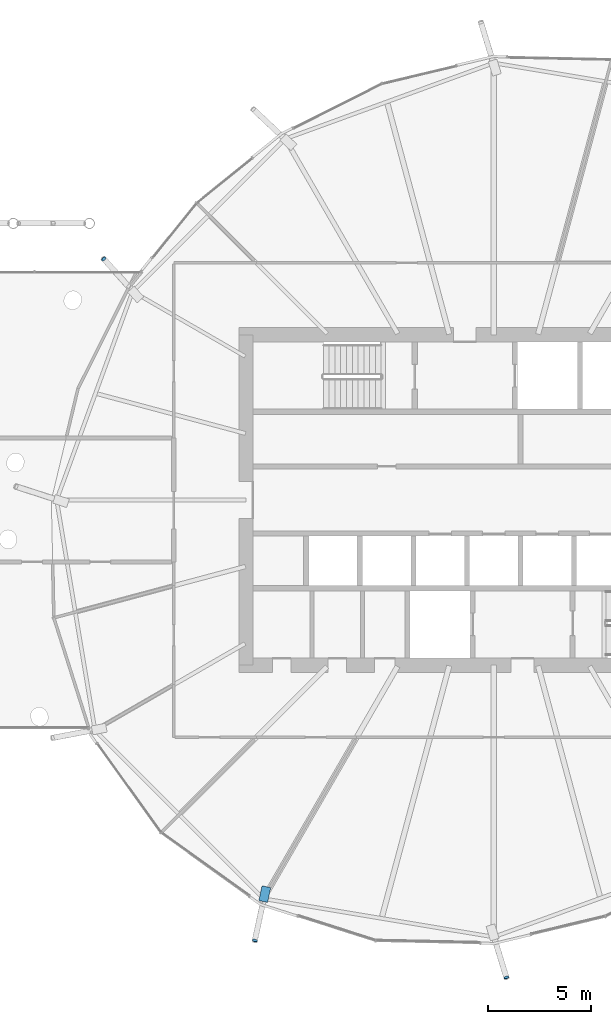
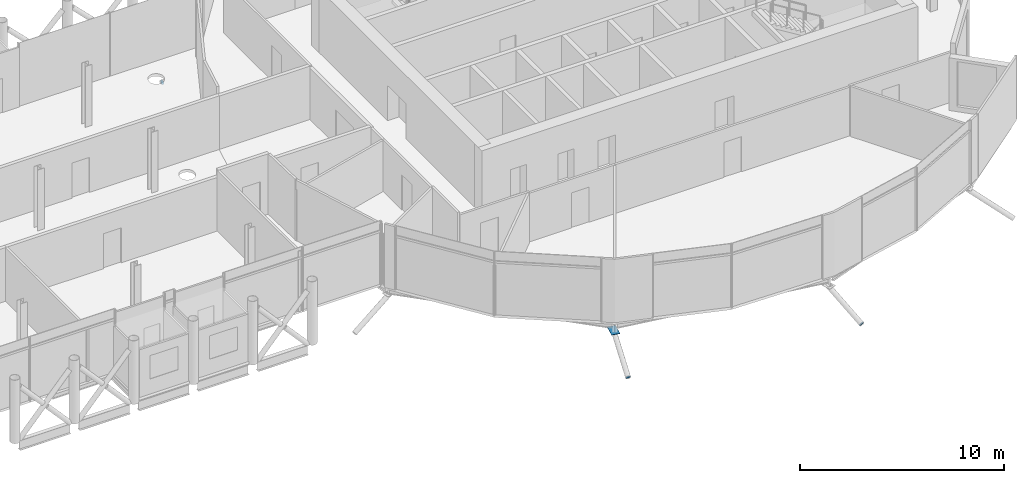
# One storey, part 34 of 40: 4 discrete accessories.
"""IFC4 building model written with IfcOpenShell, lengths in metres."""

import ifcopenshell
import ifcopenshell.guid

model = None  # the IFC model being written
_history = None  # IfcOwnerHistory: only IFC2X3 demands one
_inside = {}  # id of a spatial element -> (the spatial element, [elements in it])
_under = {}  # id of a project, library or spatial element -> (it, [spatial elements below it])
_declared = {}  # id of a project -> (the project, [libraries it declares])
_typed = {}  # id of a type object -> (the type object, [elements of that type])
_made_of = {}  # id of a material, layer set ... -> (it, [elements and type objects made of it])


def new_model(schema):
    """Start an empty IFC model of exactly this schema.

    Asked for "IFC4X3", IfcOpenShell would pick the latest addendum, in which some entities
    have other attributes; the version numbers below select the first issue.
    IFC2X3 requires an IfcOwnerHistory on every rooted entity: one is made here for all.
    """
    global model, _history
    if schema == "IFC4X3":
        model = ifcopenshell.file(schema_version=(4, 3, 0, 0))
    else:
        model = ifcopenshell.file(schema=schema)
    _inside.clear()
    _under.clear()
    _declared.clear()
    _typed.clear()
    _made_of.clear()
    _history = None
    if model.schema == "IFC2X3":
        org = make("IfcOrganization", Name="unknown")
        user = make(
            "IfcPersonAndOrganization",
            ThePerson=make("IfcPerson", FamilyName="unknown"),
            TheOrganization=org,
        )
        app = make(
            "IfcApplication",
            ApplicationDeveloper=org,
            Version="unknown",
            ApplicationFullName="unknown",
            ApplicationIdentifier="unknown",
        )
        _history = make(
            "IfcOwnerHistory",
            OwningUser=user,
            OwningApplication=app,
            ChangeAction="ADDED",
            CreationDate=0,
        )
    return model


def make(cls, **values):
    """One entity of the class cls with the attributes given. An attribute that is None is left unset."""
    return model.create_entity(
        cls, **{name: value for name, value in values.items() if value is not None}
    )


def rooted(cls, **values):
    """An entity with a GlobalId (a new one), such as an element, a storey or a relation."""
    return make(cls, GlobalId=ifcopenshell.guid.new(), OwnerHistory=_history, **values)


def si_unit(unit_type, name, prefix=None):
    """IfcSIUnit, for example si_unit("LENGTHUNIT", "METRE", prefix="MILLI")."""
    return make("IfcSIUnit", UnitType=unit_type, Prefix=prefix, Name=name)


def assignment(units):
    """IfcUnitAssignment: the units of a project."""
    return None if units is None else make("IfcUnitAssignment", Units=units)


def point(xyz):
    """IfcCartesianPoint."""
    return None if xyz is None else make("IfcCartesianPoint", Coordinates=xyz)


def direction(xyz):
    """IfcDirection."""
    return None if xyz is None else make("IfcDirection", DirectionRatios=xyz)


def frame(location, z_axis=None, x_axis=None):
    """IfcAxis2Placement3D, a coordinate frame: its origin and axes. An axis left out is left unset."""
    return make(
        "IfcAxis2Placement3D",
        Location=point(location),
        Axis=direction(z_axis),
        RefDirection=direction(x_axis),
    )


def frame_2d(location, x_axis=None):
    """IfcAxis2Placement2D, a coordinate frame in the plane: its origin and x axis."""
    return make(
        "IfcAxis2Placement2D", Location=point(location), RefDirection=direction(x_axis)
    )


def origin():
    """The frame at (0, 0, 0) with its axes left unset."""
    return frame((0.0, 0.0, 0.0))


def origin_2d():
    """The frame at (0, 0) in the plane with its x axis left unset."""
    return frame_2d((0.0, 0.0))


def place(relative_to, where):
    """IfcLocalPlacement: puts the frame where relative to a parent placement (None: the world)."""
    return make(
        "IfcLocalPlacement", PlacementRelTo=relative_to, RelativePlacement=where
    )


def context(
    kind, dimensions, precision=None, world=None, true_north=None, identifier=None
):
    """IfcGeometricRepresentationContext, for example the 3D "Model" context."""
    return make(
        "IfcGeometricRepresentationContext",
        ContextIdentifier=identifier,
        ContextType=kind,
        CoordinateSpaceDimension=dimensions,
        Precision=precision,
        WorldCoordinateSystem=world,
        TrueNorth=true_north,
    )


def subcontext(parent, identifier, kind, view, scale=None):
    """IfcGeometricRepresentationSubContext, for example "Body" below "Model"."""
    return make(
        "IfcGeometricRepresentationSubContext",
        ContextIdentifier=identifier,
        ContextType=kind,
        ParentContext=parent,
        TargetScale=scale,
        TargetView=view,
    )


def project(units=None, contexts=None):
    """IfcProject with its units and contexts."""
    return rooted(
        "IfcProject",
        Name="project",
        RepresentationContexts=contexts,
        UnitsInContext=assignment(units),
    )


def spatial(cls, under=None, at=None, **own):
    """A site, building, storey or space (cls), placed at a placement, below another one or the project."""
    s = rooted(cls, ObjectPlacement=at, **own)
    if under is not None:
        _under.setdefault(under.id(), (under, []))[1].append(s)
    return s


def polyline(points):
    """IfcPolyline through the points."""
    return make("IfcPolyline", Points=[point(p) for p in points])


def profile(cls, at=None, kind="AREA", **sizes):
    """A parametric profile (cls). Its sizes go by their IFC names, for example OverallWidth=200.0."""
    return make(cls, ProfileType=kind, Position=at, **sizes)


def rectangle(**sizes):
    """IfcRectangleProfileDef."""
    return profile("IfcRectangleProfileDef", **sizes)


def circle(**sizes):
    """IfcCircleProfileDef."""
    return profile("IfcCircleProfileDef", **sizes)


def outline(outer, holes=None, kind="AREA"):
    """IfcArbitraryClosedProfileDef: a profile drawn as a closed curve; with holes, ...WithVoids."""
    if holes is None:
        return make("IfcArbitraryClosedProfileDef", ProfileType=kind, OuterCurve=outer)
    return make(
        "IfcArbitraryProfileDefWithVoids",
        ProfileType=kind,
        OuterCurve=outer,
        InnerCurves=holes,
    )


def extrude(swept, where, along, depth):
    """IfcExtrudedAreaSolid: the profile swept, set in the frame where, extruded along a direction by depth."""
    return make(
        "IfcExtrudedAreaSolid",
        SweptArea=swept,
        Position=where,
        ExtrudedDirection=direction(along),
        Depth=depth,
    )


def shape(context_of_items, identifier, shape_type, items):
    """IfcShapeRepresentation: the items that make up one representation, for example the "Body"."""
    return make(
        "IfcShapeRepresentation",
        ContextOfItems=context_of_items,
        RepresentationIdentifier=identifier,
        RepresentationType=shape_type,
        Items=items,
    )


def material(Name=None, Category=None):
    """IfcMaterial."""
    return make("IfcMaterial", Name=Name, Category=Category)


def material_profile(
    of_material, cross_section, Name=None, Category=None, Priority=None
):
    """IfcMaterialProfile: a cross section and its material."""
    return make(
        "IfcMaterialProfile",
        Name=Name,
        Material=of_material,
        Profile=cross_section,
        Priority=Priority,
        Category=Category,
    )


def profile_set(profiles, Name=None, composite=None):
    """IfcMaterialProfileSet."""
    return make(
        "IfcMaterialProfileSet",
        Name=Name,
        MaterialProfiles=profiles,
        CompositeProfile=composite,
    )


def made_of(thing, what):
    """Note that an element or type object is made of a material, layer set ...; save() writes the relation."""
    if what is not None:
        _made_of.setdefault(what.id(), (what, []))[1].append(thing)
    return thing


def type_object(cls, material=None, **own):
    """A type object (cls), such as IfcWallType, which elements share."""
    return made_of(rooted(cls, **own), material)


def element(
    cls,
    number,
    at=None,
    inside=None,
    cuts=None,
    type_object=None,
    material=None,
    context=None,
    identifier="Body",
    shape_type=None,
    held_by="IfcProductDefinitionShape",
    body=None,
    shapes=None,
    **own,
):
    """One element of the class cls, such as IfcWall. Its Tag is "e" and its number.

    at: its placement. inside: the storey or other place that contains it. cuts: it is an
    opening in that element (IfcRelVoidsElement). A single representation is given by context,
    identifier, shape_type and body (its items); several are given by shapes. held_by: the class
    of the entity that holds the representations. save() writes the other relations.
    """
    e = rooted(cls, Tag="e%d" % number, ObjectPlacement=at, **own)
    if body is not None:
        shapes = [shape(context, identifier, shape_type, body)]
    if shapes is not None:
        e.Representation = make(held_by, Representations=shapes)
    if inside is not None:
        _inside.setdefault(inside.id(), (inside, []))[1].append(e)
    if cuts is not None:
        rooted(
            "IfcRelVoidsElement", RelatingBuildingElement=cuts, RelatedOpeningElement=e
        )
    if type_object is not None:
        _typed.setdefault(type_object.id(), (type_object, []))[1].append(e)
    return made_of(e, material)


def aggregate(whole, parts):
    """IfcRelAggregates: a whole, such as a stair, and the parts it consists of."""
    return rooted("IfcRelAggregates", RelatingObject=whole, RelatedObjects=parts)


def save(model, path):
    """Write the relations noted so far, then the file.

    IfcRelAggregates (storeys below a building ...), IfcRelContainedInSpatialStructure (elements
    in a storey), IfcRelDefinesByType, IfcRelAssociatesMaterial and IfcRelDeclares: one each for
    every whole, place, type object, material and project.
    """
    for whole, parts in _under.values():
        aggregate(whole, parts)
    for where, things in _inside.values():
        rooted(
            "IfcRelContainedInSpatialStructure",
            RelatedElements=things,
            RelatingStructure=where,
        )
    for kind, things in _typed.values():
        rooted("IfcRelDefinesByType", RelatedObjects=things, RelatingType=kind)
    for what, things in _made_of.values():
        rooted("IfcRelAssociatesMaterial", RelatedObjects=things, RelatingMaterial=what)
    for by, libraries in _declared.values():
        rooted("IfcRelDeclares", RelatingContext=by, RelatedDefinitions=libraries)
    model.write(path)


model = new_model("IFC4")

# Units and contexts
model_context = context("Model", 3, precision=1e-05, world=origin(), true_north=direction((0.0, 1.0)))
body_context = subcontext(model_context, "Body", "Model", "MODEL_VIEW")
ifc_project = project(units=[si_unit("LENGTHUNIT", "METRE"), si_unit("AREAUNIT", "SQUARE_METRE"), si_unit("VOLUMEUNIT", "CUBIC_METRE"), si_unit("PLANEANGLEUNIT", "RADIAN"), si_unit("MASSUNIT", "GRAM", prefix="KILO")], contexts=[model_context])

# Site, building, storey
site_placement = place(None, origin())
site = spatial("IfcSite", under=ifc_project, at=site_placement, CompositionType="ELEMENT")
building_placement = place(site_placement, origin())
building = spatial("IfcBuilding", under=site, at=building_placement, Name="Rimbun Link Towers", CompositionType="ELEMENT")
storey_placement = place(building_placement, frame((0.0, 0.0, 150.60009765625)))
storey = spatial("IfcBuildingStorey", under=building, at=storey_placement, Name="L36", CompositionType="ELEMENT", Elevation=150.60009765625)

# Discrete accessories
ifc_material_1 = material(Name="Steel S355J2H", Category="steel")
ifc_material_profile_1 = material_profile(ifc_material_1, circle(Radius=0.1240234375, at=origin_2d()), Name="PL D248")
ifc_profile_set_1 = profile_set([ifc_material_profile_1], Name="Steel S355J2H")
discrete_accessory_type_1 = type_object("IfcDiscreteAccessoryType", Name="Link foot sealing plate D248X20", PredefinedType="BRACKET", material=ifc_profile_set_1)
for number, where, z_axis, x_axis, name in (
    (1, (12.86083984375, 11.6787109375, -1.939453125), (-0.575184494172, 0.636374333978, -0.513994654367), (-0.741873676582, -0.670539669218, 0.0), "Link foot sealing plate T2 L36 07"),
    (2, (20.177490234375, -21.33837890625, -2.12451171875), (-0.182075845126, -0.861825666932, -0.473397197329), (0.978403328153, -0.206704928483, 0.0), "Link foot sealing plate T2 L36 13"),
    (3, (32.36328125, -23.126953125, -2.121337890625), (0.256116606643, -0.841525993254, -0.475645126622), (0.956673880429, 0.291161615783, 0.0), "Link foot sealing plate T2 L36 15"),
):
    element("IfcDiscreteAccessory", number, at=place(storey_placement, frame(where, z_axis=z_axis, x_axis=x_axis)), inside=storey, type_object=discrete_accessory_type_1, Name=name, PredefinedType="BRACKET", context=body_context, shape_type="SweptSolid", body=[
        extrude(circle(Radius=0.1240234375, at=origin_2d()), origin(), (0.0, 0.0, 1.0), 0.02001953125),
    ])
ifc_material_2 = material(Name="Steel S355J2H", Category="steel")
ifc_material_profile_2 = material_profile(ifc_material_2, rectangle(XDim=0.43310546875, YDim=0.43310546875, at=origin_2d()), Name="PL 433x433")
ifc_profile_set_2 = profile_set([ifc_material_profile_2], Name="Steel S355J2H")
discrete_accessory_type_2 = type_object("IfcDiscreteAccessoryType", Name="Link head end plate 433X20", PredefinedType="BRACKET", material=ifc_profile_set_2)
discrete_accessory_placement = place(storey_placement, frame((0.0, 0.0, -0.883544921875)))
element("IfcDiscreteAccessory", 4, at=discrete_accessory_placement, inside=storey, type_object=discrete_accessory_type_2, Name="Link head end plate T2 L36 13", PredefinedType="BRACKET", context=body_context, shape_type="SweptSolid", body=[
    extrude(outline(polyline([(20.5263671875, -18.689697265625), (20.371826171875, -19.407470703125), (20.795166015625, -19.49853515625), (20.94970703125, -18.781005859375), (20.5263671875, -18.689697265625)])), origin(), (0.0, 0.0, 1.0), 0.02001953125),
])

save(model, "model.ifc")
